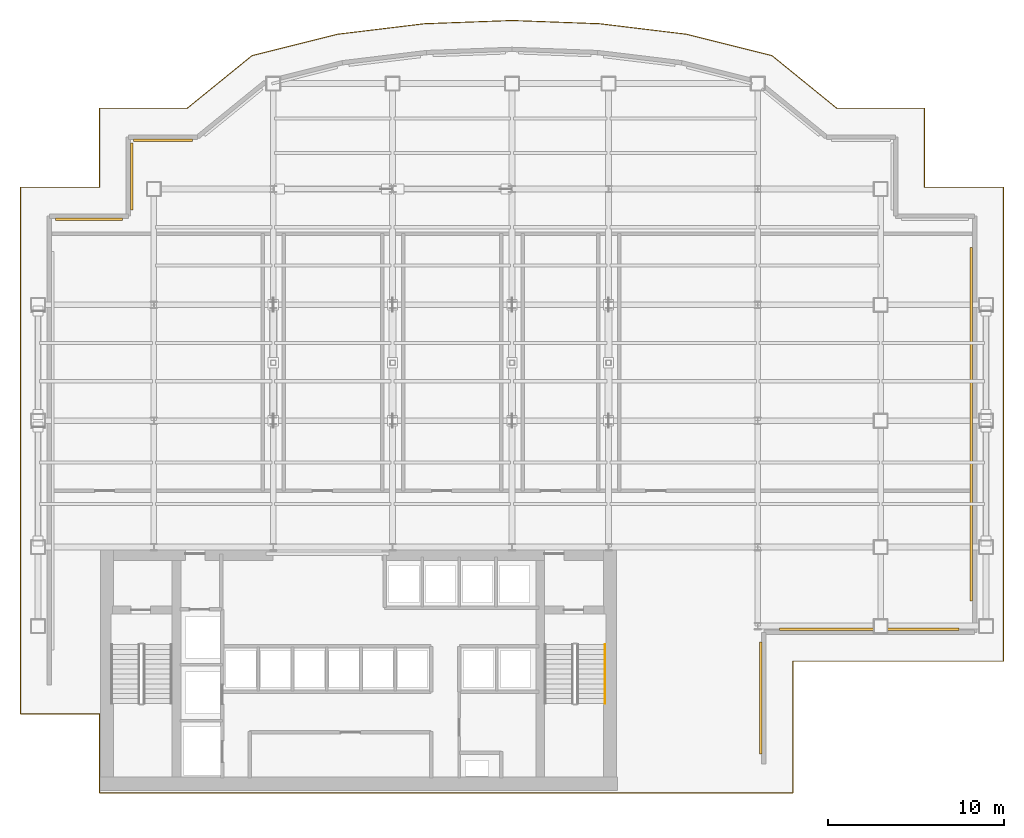
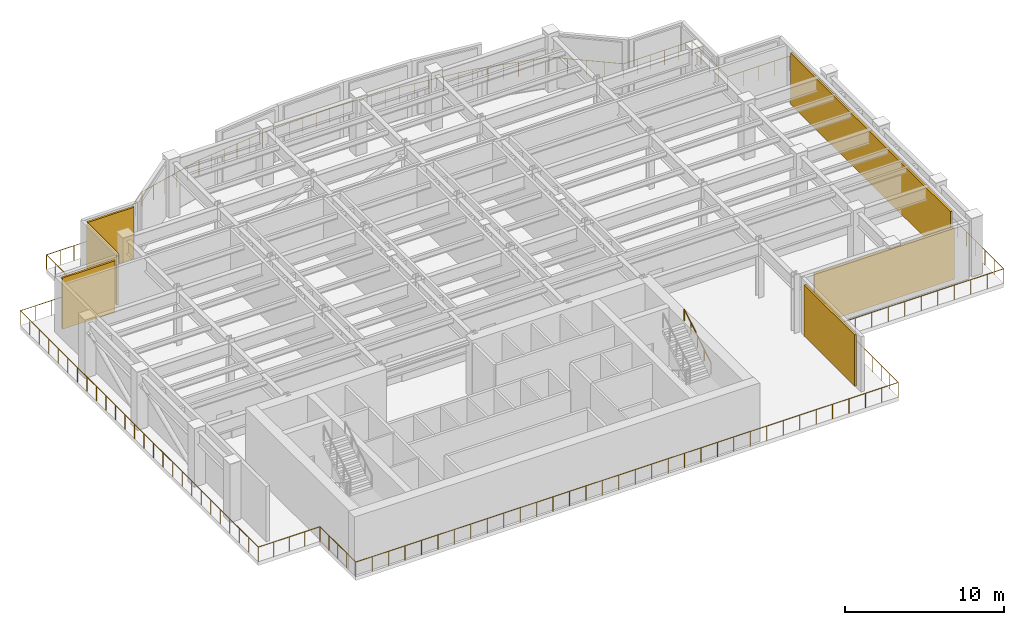
# One storey, part 11 of 12: 6 shading devices, 2 railings.
"""IFC4 building model written with IfcOpenShell, lengths in metres."""

from ifc_helpers import new_model, si_unit, derived_unit, direction, frame, origin, origin_2d, place, context, subcontext, project, spatial, rectangle, circle, extrude, source, transform, mapped, material, type_object, element, save


model = new_model("IFC4")

# Units and contexts
model_context = context("Model", 3, precision=1e-05, world=origin(), true_north=direction((0.0, 1.0)))
body_context = subcontext(model_context, "Body", "Model", "MODEL_VIEW")
ifc_project = project(units=[si_unit("LENGTHUNIT", "METRE"), si_unit("AREAUNIT", "SQUARE_METRE"), si_unit("VOLUMEUNIT", "CUBIC_METRE"), si_unit("PLANEANGLEUNIT", "RADIAN"), si_unit("MASSUNIT", "GRAM", prefix="KILO"), derived_unit("THERMALTRANSMITTANCEUNIT", [(si_unit("POWERUNIT", "WATT"), 1), (si_unit("LENGTHUNIT", "METRE"), -2), (si_unit("THERMODYNAMICTEMPERATUREUNIT", "KELVIN"), -1)])], contexts=[model_context])

# Site, building, storey
site_placement = place(None, origin())
site = spatial("IfcSite", under=ifc_project, at=site_placement, CompositionType="ELEMENT")
building_placement = place(site_placement, origin())
building = spatial("IfcBuilding", under=site, at=building_placement, Name="Skarnbrae Concourse Arena and Tower", CompositionType="ELEMENT")
storey_placement = place(building_placement, frame((0.0, 0.0, 136.10009765625)))
storey = spatial("IfcBuildingStorey", under=building, at=storey_placement, Name="L34", CompositionType="ELEMENT", Elevation=136.10009765625)

# Railings
ifc_material_1 = material(Name="Steel CSA G40.21 350W", Category="steel")
railing_type_1 = type_object("IfcRailingType", Name="RAIL-GUARD-1150", PredefinedType="GUARDRAIL", material=ifc_material_1)
railing_1_placement = place(storey_placement, frame((4.5, 0.0, 0.0)))
element("IfcRailing", 1, at=railing_1_placement, inside=storey, type_object=railing_type_1, Name="L34 Open refuge band perimeter guardrail", PredefinedType="GUARDRAIL", context=body_context, shape_type="SweptSolid", body=[
    extrude(circle(Radius=0.02392578125, at=origin_2d()), frame((0.0, 0.0, 1.1259765625), z_axis=(1.0, 0.0, 0.0), x_axis=(0.0, 1.0, 0.0)), (0.0, 0.0, 1.0), 39.5),
    extrude(circle(Radius=0.02392578125, at=origin_2d()), frame((39.5, 0.0, 1.1259765625), z_axis=(0.0, 1.0, 0.0), x_axis=(-1.0, 0.0, 0.0)), (0.0, 0.0, 1.0), 7.5),
    extrude(circle(Radius=0.02392578125, at=origin_2d()), frame((39.5, 7.5, 1.1259765625), z_axis=(1.0, 0.0, 0.0), x_axis=(0.0, 1.0, 0.0)), (0.0, 0.0, 1.0), 12.0),
    extrude(circle(Radius=0.02392578125, at=origin_2d()), frame((51.5, 7.5, 1.1259765625), z_axis=(0.0, 1.0, 0.0), x_axis=(-1.0, 0.0, 0.0)), (0.0, 0.0, 1.0), 27.0),
    extrude(circle(Radius=0.02392578125, at=origin_2d()), frame((51.5, 34.5, 1.1259765625), z_axis=(-1.0, 0.0, 0.0), x_axis=(0.0, -1.0, 0.0)), (0.0, 0.0, 1.0), 4.5),
    extrude(circle(Radius=0.02392578125, at=origin_2d()), frame((47.0, 34.5, 1.1259765625), z_axis=(0.0, 1.0, 0.0), x_axis=(-1.0, 0.0, 0.0)), (0.0, 0.0, 1.0), 4.5),
    extrude(circle(Radius=0.02392578125, at=origin_2d()), frame((47.0, 39.0, 1.1259765625), z_axis=(-1.0, 0.0, 0.0), x_axis=(0.0, -1.0, 0.0)), (0.0, 0.0, 1.0), 5.0),
    extrude(circle(Radius=0.02392578125, at=origin_2d()), frame((42.0, 39.0, 1.1259765625), z_axis=(-0.776236553893, 0.630441759721, 0.0), x_axis=(-0.630441759721, -0.776236553893, 0.0)), (0.0, 0.0, 1.0), 4.75244140625),
    extrude(circle(Radius=0.02392578125, at=origin_2d()), frame((38.31103515625, 41.99609375, 1.1259765625), z_axis=(-0.969903507278, 0.243489602593, 0.0), x_axis=(-0.243489602593, -0.969903507278, 0.0)), (0.0, 0.0, 1.0), 4.997314453125),
    extrude(circle(Radius=0.02392578125, at=origin_2d()), frame((33.464111328125, 43.212890625, 1.1259765625), z_axis=(-0.992752499945, 0.120176844078, 0.0), x_axis=(-0.120176844078, -0.992752499945, 0.0)), (0.0, 0.0, 1.0), 5.00146484375),
    extrude(circle(Radius=0.02392578125, at=origin_2d()), frame((28.498779296875, 43.81396484375, 1.1259765625), z_axis=(-0.999308198856, 0.037190371064, 0.0), x_axis=(-0.037190371064, -0.999308198856, 0.0)), (0.0, 0.0, 1.0), 5.002197265625),
    extrude(circle(Radius=0.02392578125, at=origin_2d()), frame((23.5, 44.0, 1.1259765625), z_axis=(-0.999308198856, -0.037190371064, 0.0), x_axis=(0.037190371064, -0.999308198856, 0.0)), (0.0, 0.0, 1.0), 5.002197265625),
    extrude(circle(Radius=0.02392578125, at=origin_2d()), frame((18.501220703125, 43.81396484375, 1.1259765625), z_axis=(-0.992752499945, -0.120176844078, 0.0), x_axis=(0.120176844078, -0.992752499945, 0.0)), (0.0, 0.0, 1.0), 5.00146484375),
    extrude(circle(Radius=0.02392578125, at=origin_2d()), frame((13.535888671875, 43.212890625, 1.1259765625), z_axis=(-0.969903507278, -0.243489602593, 0.0), x_axis=(0.243489602593, -0.969903507278, 0.0)), (0.0, 0.0, 1.0), 4.997314453125),
    extrude(circle(Radius=0.02392578125, at=origin_2d()), frame((8.68896484375, 41.99609375, 1.1259765625), z_axis=(-0.776236553893, -0.630441759721, 0.0), x_axis=(0.630441759721, -0.776236553893, 0.0)), (0.0, 0.0, 1.0), 4.75244140625),
    extrude(circle(Radius=0.02392578125, at=origin_2d()), frame((5.0, 39.0, 1.1259765625), z_axis=(-1.0, 0.0, 0.0), x_axis=(0.0, -1.0, 0.0)), (0.0, 0.0, 1.0), 5.0),
    extrude(circle(Radius=0.02392578125, at=origin_2d()), frame((0.0, 39.0, 1.1259765625), z_axis=(0.0, -1.0, 0.0), x_axis=(1.0, 0.0, 0.0)), (0.0, 0.0, 1.0), 4.5),
    extrude(circle(Radius=0.02392578125, at=origin_2d()), frame((0.0, 34.5, 1.1259765625), z_axis=(-1.0, 0.0, 0.0), x_axis=(0.0, -1.0, 0.0)), (0.0, 0.0, 1.0), 4.5),
    extrude(circle(Radius=0.02392578125, at=origin_2d()), frame((-4.5, 34.5, 1.1259765625), z_axis=(0.0, -1.0, 0.0), x_axis=(1.0, 0.0, 0.0)), (0.0, 0.0, 1.0), 30.0),
    extrude(circle(Radius=0.02392578125, at=origin_2d()), frame((-4.5, 4.5, 1.1259765625), z_axis=(1.0, 0.0, 0.0), x_axis=(0.0, 1.0, 0.0)), (0.0, 0.0, 1.0), 4.5),
    extrude(circle(Radius=0.02392578125, at=origin_2d()), frame((0.0, 4.5, 1.1259765625), z_axis=(0.0, -1.0, 0.0), x_axis=(1.0, 0.0, 0.0)), (0.0, 0.0, 1.0), 4.5),
    extrude(circle(Radius=0.02099609375, at=origin_2d()), origin(), (0.0, 0.0, 1.0), 1.101806640625),
    extrude(circle(Radius=0.02099609375, at=origin_2d()), frame((1.197021484375, 0.0, 0.0)), (0.0, 0.0, 1.0), 1.101806640625),
    extrude(circle(Radius=0.02099609375, at=origin_2d()), frame((2.39404296875, 0.0, 0.0)), (0.0, 0.0, 1.0), 1.101806640625),
    extrude(circle(Radius=0.02099609375, at=origin_2d()), frame((3.5908203125, 0.0, 0.0)), (0.0, 0.0, 1.0), 1.101806640625),
    extrude(circle(Radius=0.02099609375, at=origin_2d()), frame((4.787841796875, 0.0, 0.0)), (0.0, 0.0, 1.0), 1.101806640625),
    extrude(circle(Radius=0.02099609375, at=origin_2d()), frame((5.98486328125, 0.0, 0.0)), (0.0, 0.0, 1.0), 1.101806640625),
    extrude(circle(Radius=0.02099609375, at=origin_2d()), frame((7.181884765625, 0.0, 0.0)), (0.0, 0.0, 1.0), 1.101806640625),
    extrude(circle(Radius=0.02099609375, at=origin_2d()), frame((8.37890625, 0.0, 0.0)), (0.0, 0.0, 1.0), 1.101806640625),
    extrude(circle(Radius=0.02099609375, at=origin_2d()), frame((9.57568359375, 0.0, 0.0)), (0.0, 0.0, 1.0), 1.101806640625),
    extrude(circle(Radius=0.02099609375, at=origin_2d()), frame((10.772705078125, 0.0, 0.0)), (0.0, 0.0, 1.0), 1.101806640625),
    extrude(circle(Radius=0.02099609375, at=origin_2d()), frame((11.9697265625, 0.0, 0.0)), (0.0, 0.0, 1.0), 1.101806640625),
    extrude(circle(Radius=0.02099609375, at=origin_2d()), frame((13.166748046875, 0.0, 0.0)), (0.0, 0.0, 1.0), 1.101806640625),
    extrude(circle(Radius=0.02099609375, at=origin_2d()), frame((14.363525390625, 0.0, 0.0)), (0.0, 0.0, 1.0), 1.101806640625),
    extrude(circle(Radius=0.02099609375, at=origin_2d()), frame((15.560546875, 0.0, 0.0)), (0.0, 0.0, 1.0), 1.101806640625),
    extrude(circle(Radius=0.02099609375, at=origin_2d()), frame((16.757568359375, 0.0, 0.0)), (0.0, 0.0, 1.0), 1.101806640625),
    extrude(circle(Radius=0.02099609375, at=origin_2d()), frame((17.95458984375, 0.0, 0.0)), (0.0, 0.0, 1.0), 1.101806640625),
    extrude(circle(Radius=0.02099609375, at=origin_2d()), frame((19.151611328125, 0.0, 0.0)), (0.0, 0.0, 1.0), 1.101806640625),
    extrude(circle(Radius=0.02099609375, at=origin_2d()), frame((20.348388671875, 0.0, 0.0)), (0.0, 0.0, 1.0), 1.101806640625),
    extrude(circle(Radius=0.02099609375, at=origin_2d()), frame((21.54541015625, 0.0, 0.0)), (0.0, 0.0, 1.0), 1.101806640625),
    extrude(circle(Radius=0.02099609375, at=origin_2d()), frame((22.742431640625, 0.0, 0.0)), (0.0, 0.0, 1.0), 1.101806640625),
    extrude(circle(Radius=0.02099609375, at=origin_2d()), frame((23.939453125, 0.0, 0.0)), (0.0, 0.0, 1.0), 1.101806640625),
    extrude(circle(Radius=0.02099609375, at=origin_2d()), frame((25.136474609375, 0.0, 0.0)), (0.0, 0.0, 1.0), 1.101806640625),
    extrude(circle(Radius=0.02099609375, at=origin_2d()), frame((26.333251953125, 0.0, 0.0)), (0.0, 0.0, 1.0), 1.101806640625),
    extrude(circle(Radius=0.02099609375, at=origin_2d()), frame((27.5302734375, 0.0, 0.0)), (0.0, 0.0, 1.0), 1.101806640625),
    extrude(circle(Radius=0.02099609375, at=origin_2d()), frame((28.727294921875, 0.0, 0.0)), (0.0, 0.0, 1.0), 1.101806640625),
    extrude(circle(Radius=0.02099609375, at=origin_2d()), frame((29.92431640625, 0.0, 0.0)), (0.0, 0.0, 1.0), 1.101806640625),
    extrude(circle(Radius=0.02099609375, at=origin_2d()), frame((31.12109375, 0.0, 0.0)), (0.0, 0.0, 1.0), 1.101806640625),
    extrude(circle(Radius=0.02099609375, at=origin_2d()), frame((32.318115234375, 0.0, 0.0)), (0.0, 0.0, 1.0), 1.101806640625),
    extrude(circle(Radius=0.02099609375, at=origin_2d()), frame((33.51513671875, 0.0, 0.0)), (0.0, 0.0, 1.0), 1.101806640625),
    extrude(circle(Radius=0.02099609375, at=origin_2d()), frame((34.712158203125, 0.0, 0.0)), (0.0, 0.0, 1.0), 1.101806640625),
    extrude(circle(Radius=0.02099609375, at=origin_2d()), frame((35.9091796875, 0.0, 0.0)), (0.0, 0.0, 1.0), 1.101806640625),
    extrude(circle(Radius=0.02099609375, at=origin_2d()), frame((37.10595703125, 0.0, 0.0)), (0.0, 0.0, 1.0), 1.101806640625),
    extrude(circle(Radius=0.02099609375, at=origin_2d()), frame((38.302978515625, 0.0, 0.0)), (0.0, 0.0, 1.0), 1.101806640625),
    extrude(circle(Radius=0.02099609375, at=origin_2d()), frame((39.5, 0.0, 0.0)), (0.0, 0.0, 1.0), 1.101806640625),
    extrude(circle(Radius=0.02099609375, at=origin_2d()), frame((39.5, 1.071533203125, 0.0)), (0.0, 0.0, 1.0), 1.101806640625),
    extrude(circle(Radius=0.02099609375, at=origin_2d()), frame((39.5, 2.142822265625, 0.0)), (0.0, 0.0, 1.0), 1.101806640625),
    extrude(circle(Radius=0.02099609375, at=origin_2d()), frame((39.5, 3.21435546875, 0.0)), (0.0, 0.0, 1.0), 1.101806640625),
    extrude(circle(Radius=0.02099609375, at=origin_2d()), frame((39.5, 4.28564453125, 0.0)), (0.0, 0.0, 1.0), 1.101806640625),
    extrude(circle(Radius=0.02099609375, at=origin_2d()), frame((39.5, 5.357177734375, 0.0)), (0.0, 0.0, 1.0), 1.101806640625),
    extrude(circle(Radius=0.02099609375, at=origin_2d()), frame((39.5, 6.428466796875, 0.0)), (0.0, 0.0, 1.0), 1.101806640625),
    extrude(circle(Radius=0.02099609375, at=origin_2d()), frame((39.5, 7.5, 0.0)), (0.0, 0.0, 1.0), 1.101806640625),
    extrude(circle(Radius=0.02099609375, at=origin_2d()), frame((40.699951171875, 7.5, 0.0)), (0.0, 0.0, 1.0), 1.101806640625),
    extrude(circle(Radius=0.02099609375, at=origin_2d()), frame((41.89990234375, 7.5, 0.0)), (0.0, 0.0, 1.0), 1.101806640625),
    extrude(circle(Radius=0.02099609375, at=origin_2d()), frame((43.10009765625, 7.5, 0.0)), (0.0, 0.0, 1.0), 1.101806640625),
    extrude(circle(Radius=0.02099609375, at=origin_2d()), frame((44.300048828125, 7.5, 0.0)), (0.0, 0.0, 1.0), 1.101806640625),
    extrude(circle(Radius=0.02099609375, at=origin_2d()), frame((45.5, 7.5, 0.0)), (0.0, 0.0, 1.0), 1.101806640625),
    extrude(circle(Radius=0.02099609375, at=origin_2d()), frame((46.699951171875, 7.5, 0.0)), (0.0, 0.0, 1.0), 1.101806640625),
    extrude(circle(Radius=0.02099609375, at=origin_2d()), frame((47.89990234375, 7.5, 0.0)), (0.0, 0.0, 1.0), 1.101806640625),
    extrude(circle(Radius=0.02099609375, at=origin_2d()), frame((49.10009765625, 7.5, 0.0)), (0.0, 0.0, 1.0), 1.101806640625),
    extrude(circle(Radius=0.02099609375, at=origin_2d()), frame((50.300048828125, 7.5, 0.0)), (0.0, 0.0, 1.0), 1.101806640625),
    extrude(circle(Radius=0.02099609375, at=origin_2d()), frame((51.5, 7.5, 0.0)), (0.0, 0.0, 1.0), 1.101806640625),
    extrude(circle(Radius=0.02099609375, at=origin_2d()), frame((51.5, 8.673828125, 0.0)), (0.0, 0.0, 1.0), 1.101806640625),
    extrude(circle(Radius=0.02099609375, at=origin_2d()), frame((51.5, 9.847900390625, 0.0)), (0.0, 0.0, 1.0), 1.101806640625),
    extrude(circle(Radius=0.02099609375, at=origin_2d()), frame((51.5, 11.021728515625, 0.0)), (0.0, 0.0, 1.0), 1.101806640625),
    extrude(circle(Radius=0.02099609375, at=origin_2d()), frame((51.5, 12.195556640625, 0.0)), (0.0, 0.0, 1.0), 1.101806640625),
    extrude(circle(Radius=0.02099609375, at=origin_2d()), frame((51.5, 13.36962890625, 0.0)), (0.0, 0.0, 1.0), 1.101806640625),
    extrude(circle(Radius=0.02099609375, at=origin_2d()), frame((51.5, 14.54345703125, 0.0)), (0.0, 0.0, 1.0), 1.101806640625),
    extrude(circle(Radius=0.02099609375, at=origin_2d()), frame((51.5, 15.71728515625, 0.0)), (0.0, 0.0, 1.0), 1.101806640625),
    extrude(circle(Radius=0.02099609375, at=origin_2d()), frame((51.5, 16.891357421875, 0.0)), (0.0, 0.0, 1.0), 1.101806640625),
    extrude(circle(Radius=0.02099609375, at=origin_2d()), frame((51.5, 18.065185546875, 0.0)), (0.0, 0.0, 1.0), 1.101806640625),
    extrude(circle(Radius=0.02099609375, at=origin_2d()), frame((51.5, 19.239013671875, 0.0)), (0.0, 0.0, 1.0), 1.101806640625),
    extrude(circle(Radius=0.02099609375, at=origin_2d()), frame((51.5, 20.4130859375, 0.0)), (0.0, 0.0, 1.0), 1.101806640625),
    extrude(circle(Radius=0.02099609375, at=origin_2d()), frame((51.5, 21.5869140625, 0.0)), (0.0, 0.0, 1.0), 1.101806640625),
    extrude(circle(Radius=0.02099609375, at=origin_2d()), frame((51.5, 22.760986328125, 0.0)), (0.0, 0.0, 1.0), 1.101806640625),
    extrude(circle(Radius=0.02099609375, at=origin_2d()), frame((51.5, 23.934814453125, 0.0)), (0.0, 0.0, 1.0), 1.101806640625),
    extrude(circle(Radius=0.02099609375, at=origin_2d()), frame((51.5, 25.108642578125, 0.0)), (0.0, 0.0, 1.0), 1.101806640625),
    extrude(circle(Radius=0.02099609375, at=origin_2d()), frame((51.5, 26.28271484375, 0.0)), (0.0, 0.0, 1.0), 1.101806640625),
    extrude(circle(Radius=0.02099609375, at=origin_2d()), frame((51.5, 27.45654296875, 0.0)), (0.0, 0.0, 1.0), 1.101806640625),
    extrude(circle(Radius=0.02099609375, at=origin_2d()), frame((51.5, 28.63037109375, 0.0)), (0.0, 0.0, 1.0), 1.101806640625),
    extrude(circle(Radius=0.02099609375, at=origin_2d()), frame((51.5, 29.804443359375, 0.0)), (0.0, 0.0, 1.0), 1.101806640625),
    extrude(circle(Radius=0.02099609375, at=origin_2d()), frame((51.5, 30.978271484375, 0.0)), (0.0, 0.0, 1.0), 1.101806640625),
    extrude(circle(Radius=0.02099609375, at=origin_2d()), frame((51.5, 32.152099609375, 0.0)), (0.0, 0.0, 1.0), 1.101806640625),
    extrude(circle(Radius=0.02099609375, at=origin_2d()), frame((51.5, 33.326171875, 0.0)), (0.0, 0.0, 1.0), 1.101806640625),
    extrude(circle(Radius=0.02099609375, at=origin_2d()), frame((51.5, 34.5, 0.0)), (0.0, 0.0, 1.0), 1.101806640625),
    extrude(circle(Radius=0.02099609375, at=origin_2d()), frame((50.375, 34.5, 0.0)), (0.0, 0.0, 1.0), 1.101806640625),
    extrude(circle(Radius=0.02099609375, at=origin_2d()), frame((49.25, 34.5, 0.0)), (0.0, 0.0, 1.0), 1.101806640625),
    extrude(circle(Radius=0.02099609375, at=origin_2d()), frame((48.125, 34.5, 0.0)), (0.0, 0.0, 1.0), 1.101806640625),
    extrude(circle(Radius=0.02099609375, at=origin_2d()), frame((47.0, 34.5, 0.0)), (0.0, 0.0, 1.0), 1.101806640625),
    extrude(circle(Radius=0.02099609375, at=origin_2d()), frame((47.0, 35.625, 0.0)), (0.0, 0.0, 1.0), 1.101806640625),
    extrude(circle(Radius=0.02099609375, at=origin_2d()), frame((47.0, 36.75, 0.0)), (0.0, 0.0, 1.0), 1.101806640625),
    extrude(circle(Radius=0.02099609375, at=origin_2d()), frame((47.0, 37.875, 0.0)), (0.0, 0.0, 1.0), 1.101806640625),
    extrude(circle(Radius=0.02099609375, at=origin_2d()), frame((47.0, 39.0, 0.0)), (0.0, 0.0, 1.0), 1.101806640625),
    extrude(circle(Radius=0.02099609375, at=origin_2d()), frame((46.0, 39.0, 0.0)), (0.0, 0.0, 1.0), 1.101806640625),
    extrude(circle(Radius=0.02099609375, at=origin_2d()), frame((45.0, 39.0, 0.0)), (0.0, 0.0, 1.0), 1.101806640625),
    extrude(circle(Radius=0.02099609375, at=origin_2d()), frame((44.0, 39.0, 0.0)), (0.0, 0.0, 1.0), 1.101806640625),
    extrude(circle(Radius=0.02099609375, at=origin_2d()), frame((43.0, 39.0, 0.0)), (0.0, 0.0, 1.0), 1.101806640625),
    extrude(circle(Radius=0.02099609375, at=origin_2d()), frame((42.0, 39.0, 0.0)), (0.0, 0.0, 1.0), 1.101806640625),
    extrude(circle(Radius=0.02099609375, at=origin_2d()), frame((41.07763671875, 39.7490234375, 0.0)), (0.0, 0.0, 1.0), 1.101806640625),
    extrude(circle(Radius=0.02099609375, at=origin_2d()), frame((40.155517578125, 40.498046875, 0.0)), (0.0, 0.0, 1.0), 1.101806640625),
    extrude(circle(Radius=0.02099609375, at=origin_2d()), frame((39.2333984375, 41.2470703125, 0.0)), (0.0, 0.0, 1.0), 1.101806640625),
    extrude(circle(Radius=0.02099609375, at=origin_2d()), frame((38.31103515625, 41.99609375, 0.0)), (0.0, 0.0, 1.0), 1.101806640625),
    extrude(circle(Radius=0.02099609375, at=origin_2d()), frame((37.341552734375, 42.239501953125, 0.0)), (0.0, 0.0, 1.0), 1.101806640625),
    extrude(circle(Radius=0.02099609375, at=origin_2d()), frame((36.372314453125, 42.48291015625, 0.0)), (0.0, 0.0, 1.0), 1.101806640625),
    extrude(circle(Radius=0.02099609375, at=origin_2d()), frame((35.40283203125, 42.72607421875, 0.0)), (0.0, 0.0, 1.0), 1.101806640625),
    extrude(circle(Radius=0.02099609375, at=origin_2d()), frame((34.43359375, 42.969482421875, 0.0)), (0.0, 0.0, 1.0), 1.101806640625),
    extrude(circle(Radius=0.02099609375, at=origin_2d()), frame((33.464111328125, 43.212890625, 0.0)), (0.0, 0.0, 1.0), 1.101806640625),
    extrude(circle(Radius=0.02099609375, at=origin_2d()), frame((32.470947265625, 43.3330078125, 0.0)), (0.0, 0.0, 1.0), 1.101806640625),
    extrude(circle(Radius=0.02099609375, at=origin_2d()), frame((31.47802734375, 43.453369140625, 0.0)), (0.0, 0.0, 1.0), 1.101806640625),
    extrude(circle(Radius=0.02099609375, at=origin_2d()), frame((30.48486328125, 43.573486328125, 0.0)), (0.0, 0.0, 1.0), 1.101806640625),
    extrude(circle(Radius=0.02099609375, at=origin_2d()), frame((29.491943359375, 43.69384765625, 0.0)), (0.0, 0.0, 1.0), 1.101806640625),
    extrude(circle(Radius=0.02099609375, at=origin_2d()), frame((28.498779296875, 43.81396484375, 0.0)), (0.0, 0.0, 1.0), 1.101806640625),
    extrude(circle(Radius=0.02099609375, at=origin_2d()), frame((27.4990234375, 43.85107421875, 0.0)), (0.0, 0.0, 1.0), 1.101806640625),
    extrude(circle(Radius=0.02099609375, at=origin_2d()), frame((26.499267578125, 43.888427734375, 0.0)), (0.0, 0.0, 1.0), 1.101806640625),
    extrude(circle(Radius=0.02099609375, at=origin_2d()), frame((25.49951171875, 43.925537109375, 0.0)), (0.0, 0.0, 1.0), 1.101806640625),
    extrude(circle(Radius=0.02099609375, at=origin_2d()), frame((24.499755859375, 43.962890625, 0.0)), (0.0, 0.0, 1.0), 1.101806640625),
    extrude(circle(Radius=0.02099609375, at=origin_2d()), frame((23.5, 44.0, 0.0)), (0.0, 0.0, 1.0), 1.101806640625),
    extrude(circle(Radius=0.02099609375, at=origin_2d()), frame((22.500244140625, 43.962890625, 0.0)), (0.0, 0.0, 1.0), 1.101806640625),
    extrude(circle(Radius=0.02099609375, at=origin_2d()), frame((21.50048828125, 43.925537109375, 0.0)), (0.0, 0.0, 1.0), 1.101806640625),
    extrude(circle(Radius=0.02099609375, at=origin_2d()), frame((20.500732421875, 43.888427734375, 0.0)), (0.0, 0.0, 1.0), 1.101806640625),
    extrude(circle(Radius=0.02099609375, at=origin_2d()), frame((19.5009765625, 43.85107421875, 0.0)), (0.0, 0.0, 1.0), 1.101806640625),
    extrude(circle(Radius=0.02099609375, at=origin_2d()), frame((18.501220703125, 43.81396484375, 0.0)), (0.0, 0.0, 1.0), 1.101806640625),
    extrude(circle(Radius=0.02099609375, at=origin_2d()), frame((17.508056640625, 43.69384765625, 0.0)), (0.0, 0.0, 1.0), 1.101806640625),
    extrude(circle(Radius=0.02099609375, at=origin_2d()), frame((16.51513671875, 43.573486328125, 0.0)), (0.0, 0.0, 1.0), 1.101806640625),
    extrude(circle(Radius=0.02099609375, at=origin_2d()), frame((15.52197265625, 43.453369140625, 0.0)), (0.0, 0.0, 1.0), 1.101806640625),
    extrude(circle(Radius=0.02099609375, at=origin_2d()), frame((14.529052734375, 43.3330078125, 0.0)), (0.0, 0.0, 1.0), 1.101806640625),
    extrude(circle(Radius=0.02099609375, at=origin_2d()), frame((13.535888671875, 43.212890625, 0.0)), (0.0, 0.0, 1.0), 1.101806640625),
    extrude(circle(Radius=0.02099609375, at=origin_2d()), frame((12.56640625, 42.969482421875, 0.0)), (0.0, 0.0, 1.0), 1.101806640625),
    extrude(circle(Radius=0.02099609375, at=origin_2d()), frame((11.59716796875, 42.72607421875, 0.0)), (0.0, 0.0, 1.0), 1.101806640625),
    extrude(circle(Radius=0.02099609375, at=origin_2d()), frame((10.627685546875, 42.48291015625, 0.0)), (0.0, 0.0, 1.0), 1.101806640625),
    extrude(circle(Radius=0.02099609375, at=origin_2d()), frame((9.658447265625, 42.239501953125, 0.0)), (0.0, 0.0, 1.0), 1.101806640625),
    extrude(circle(Radius=0.02099609375, at=origin_2d()), frame((8.68896484375, 41.99609375, 0.0)), (0.0, 0.0, 1.0), 1.101806640625),
    extrude(circle(Radius=0.02099609375, at=origin_2d()), frame((7.7666015625, 41.2470703125, 0.0)), (0.0, 0.0, 1.0), 1.101806640625),
    extrude(circle(Radius=0.02099609375, at=origin_2d()), frame((6.844482421875, 40.498046875, 0.0)), (0.0, 0.0, 1.0), 1.101806640625),
    extrude(circle(Radius=0.02099609375, at=origin_2d()), frame((5.92236328125, 39.7490234375, 0.0)), (0.0, 0.0, 1.0), 1.101806640625),
    extrude(circle(Radius=0.02099609375, at=origin_2d()), frame((5.0, 39.0, 0.0)), (0.0, 0.0, 1.0), 1.101806640625),
    extrude(circle(Radius=0.02099609375, at=origin_2d()), frame((4.0, 39.0, 0.0)), (0.0, 0.0, 1.0), 1.101806640625),
    extrude(circle(Radius=0.02099609375, at=origin_2d()), frame((3.0, 39.0, 0.0)), (0.0, 0.0, 1.0), 1.101806640625),
    extrude(circle(Radius=0.02099609375, at=origin_2d()), frame((2.0, 39.0, 0.0)), (0.0, 0.0, 1.0), 1.101806640625),
    extrude(circle(Radius=0.02099609375, at=origin_2d()), frame((1.0, 39.0, 0.0)), (0.0, 0.0, 1.0), 1.101806640625),
    extrude(circle(Radius=0.02099609375, at=origin_2d()), frame((0.0, 39.0, 0.0)), (0.0, 0.0, 1.0), 1.101806640625),
    extrude(circle(Radius=0.02099609375, at=origin_2d()), frame((0.0, 37.875, 0.0)), (0.0, 0.0, 1.0), 1.101806640625),
    extrude(circle(Radius=0.02099609375, at=origin_2d()), frame((0.0, 36.75, 0.0)), (0.0, 0.0, 1.0), 1.101806640625),
    extrude(circle(Radius=0.02099609375, at=origin_2d()), frame((0.0, 35.625, 0.0)), (0.0, 0.0, 1.0), 1.101806640625),
    extrude(circle(Radius=0.02099609375, at=origin_2d()), frame((0.0, 34.5, 0.0)), (0.0, 0.0, 1.0), 1.101806640625),
    extrude(circle(Radius=0.02099609375, at=origin_2d()), frame((-1.125, 34.5, 0.0)), (0.0, 0.0, 1.0), 1.101806640625),
    extrude(circle(Radius=0.02099609375, at=origin_2d()), frame((-2.25, 34.5, 0.0)), (0.0, 0.0, 1.0), 1.101806640625),
    extrude(circle(Radius=0.02099609375, at=origin_2d()), frame((-3.375, 34.5, 0.0)), (0.0, 0.0, 1.0), 1.101806640625),
    extrude(circle(Radius=0.02099609375, at=origin_2d()), frame((-4.5, 34.5, 0.0)), (0.0, 0.0, 1.0), 1.101806640625),
    extrude(circle(Radius=0.02099609375, at=origin_2d()), frame((-4.5, 33.300048828125, 0.0)), (0.0, 0.0, 1.0), 1.101806640625),
    extrude(circle(Radius=0.02099609375, at=origin_2d()), frame((-4.5, 32.10009765625, 0.0)), (0.0, 0.0, 1.0), 1.101806640625),
    extrude(circle(Radius=0.02099609375, at=origin_2d()), frame((-4.5, 30.89990234375, 0.0)), (0.0, 0.0, 1.0), 1.101806640625),
    extrude(circle(Radius=0.02099609375, at=origin_2d()), frame((-4.5, 29.699951171875, 0.0)), (0.0, 0.0, 1.0), 1.101806640625),
    extrude(circle(Radius=0.02099609375, at=origin_2d()), frame((-4.5, 28.5, 0.0)), (0.0, 0.0, 1.0), 1.101806640625),
    extrude(circle(Radius=0.02099609375, at=origin_2d()), frame((-4.5, 27.300048828125, 0.0)), (0.0, 0.0, 1.0), 1.101806640625),
    extrude(circle(Radius=0.02099609375, at=origin_2d()), frame((-4.5, 26.10009765625, 0.0)), (0.0, 0.0, 1.0), 1.101806640625),
    extrude(circle(Radius=0.02099609375, at=origin_2d()), frame((-4.5, 24.89990234375, 0.0)), (0.0, 0.0, 1.0), 1.101806640625),
    extrude(circle(Radius=0.02099609375, at=origin_2d()), frame((-4.5, 23.699951171875, 0.0)), (0.0, 0.0, 1.0), 1.101806640625),
    extrude(circle(Radius=0.02099609375, at=origin_2d()), frame((-4.5, 22.5, 0.0)), (0.0, 0.0, 1.0), 1.101806640625),
    extrude(circle(Radius=0.02099609375, at=origin_2d()), frame((-4.5, 21.300048828125, 0.0)), (0.0, 0.0, 1.0), 1.101806640625),
    extrude(circle(Radius=0.02099609375, at=origin_2d()), frame((-4.5, 20.10009765625, 0.0)), (0.0, 0.0, 1.0), 1.101806640625),
    extrude(circle(Radius=0.02099609375, at=origin_2d()), frame((-4.5, 18.89990234375, 0.0)), (0.0, 0.0, 1.0), 1.101806640625),
    extrude(circle(Radius=0.02099609375, at=origin_2d()), frame((-4.5, 17.699951171875, 0.0)), (0.0, 0.0, 1.0), 1.101806640625),
    extrude(circle(Radius=0.02099609375, at=origin_2d()), frame((-4.5, 16.5, 0.0)), (0.0, 0.0, 1.0), 1.101806640625),
    extrude(circle(Radius=0.02099609375, at=origin_2d()), frame((-4.5, 15.300048828125, 0.0)), (0.0, 0.0, 1.0), 1.101806640625),
    extrude(circle(Radius=0.02099609375, at=origin_2d()), frame((-4.5, 14.10009765625, 0.0)), (0.0, 0.0, 1.0), 1.101806640625),
    extrude(circle(Radius=0.02099609375, at=origin_2d()), frame((-4.5, 12.89990234375, 0.0)), (0.0, 0.0, 1.0), 1.101806640625),
    extrude(circle(Radius=0.02099609375, at=origin_2d()), frame((-4.5, 11.699951171875, 0.0)), (0.0, 0.0, 1.0), 1.101806640625),
    extrude(circle(Radius=0.02099609375, at=origin_2d()), frame((-4.5, 10.5, 0.0)), (0.0, 0.0, 1.0), 1.101806640625),
    extrude(circle(Radius=0.02099609375, at=origin_2d()), frame((-4.5, 9.300048828125, 0.0)), (0.0, 0.0, 1.0), 1.101806640625),
    extrude(circle(Radius=0.02099609375, at=origin_2d()), frame((-4.5, 8.10009765625, 0.0)), (0.0, 0.0, 1.0), 1.101806640625),
    extrude(circle(Radius=0.02099609375, at=origin_2d()), frame((-4.5, 6.89990234375, 0.0)), (0.0, 0.0, 1.0), 1.101806640625),
    extrude(circle(Radius=0.02099609375, at=origin_2d()), frame((-4.5, 5.699951171875, 0.0)), (0.0, 0.0, 1.0), 1.101806640625),
    extrude(circle(Radius=0.02099609375, at=origin_2d()), frame((-4.5, 4.5, 0.0)), (0.0, 0.0, 1.0), 1.101806640625),
    extrude(circle(Radius=0.02099609375, at=origin_2d()), frame((-3.375, 4.5, 0.0)), (0.0, 0.0, 1.0), 1.101806640625),
    extrude(circle(Radius=0.02099609375, at=origin_2d()), frame((-2.25, 4.5, 0.0)), (0.0, 0.0, 1.0), 1.101806640625),
    extrude(circle(Radius=0.02099609375, at=origin_2d()), frame((-1.125, 4.5, 0.0)), (0.0, 0.0, 1.0), 1.101806640625),
    extrude(circle(Radius=0.02099609375, at=origin_2d()), frame((0.0, 4.5, 0.0)), (0.0, 0.0, 1.0), 1.101806640625),
    extrude(circle(Radius=0.02099609375, at=origin_2d()), frame((0.0, 3.375, 0.0)), (0.0, 0.0, 1.0), 1.101806640625),
    extrude(circle(Radius=0.02099609375, at=origin_2d()), frame((0.0, 2.25, 0.0)), (0.0, 0.0, 1.0), 1.101806640625),
    extrude(circle(Radius=0.02099609375, at=origin_2d()), frame((0.0, 1.125, 0.0)), (0.0, 0.0, 1.0), 1.101806640625),
])
railing_type_2 = type_object("IfcRailingType", Name="RAIL-HANDRAIL-900", PredefinedType="HANDRAIL", material=ifc_material_1)
railing_2_placement = place(storey_placement, frame((33.300048828125, 5.090087890625, 2.423095703125)))
element("IfcRailing", 2, at=railing_2_placement, inside=storey, type_object=railing_type_2, Name="L34 ST-2 stair handrail 2", PredefinedType="HANDRAIL", context=body_context, shape_type="SweptSolid", body=[
    extrude(circle(Radius=0.02392578125, at=origin_2d()), frame((0.0, 0.0, 0.8759765625), z_axis=(0.0, 0.850606129759, 0.525803396734), x_axis=(-1.0, 0.0, 0.0)), (0.0, 0.0, 1.0), 3.949951171875),
    extrude(circle(Radius=0.02099609375, at=origin_2d()), origin(), (0.0, 0.0, 1.0), 0.851806640625),
    extrude(circle(Radius=0.02099609375, at=origin_2d()), frame((0.0, 0.83984375, 0.519287109375)), (0.0, 0.0, 1.0), 0.851806640625),
    extrude(circle(Radius=0.02099609375, at=origin_2d()), frame((0.0, 1.679931640625, 1.03857421875)), (0.0, 0.0, 1.0), 0.851806640625),
    extrude(circle(Radius=0.02099609375, at=origin_2d()), frame((0.0, 2.52001953125, 1.5576171875)), (0.0, 0.0, 1.0), 0.851806640625),
    extrude(circle(Radius=0.02099609375, at=origin_2d()), frame((0.0, 3.35986328125, 2.076904296875)), (0.0, 0.0, 1.0), 0.851806640625),
])

# Shading devices
ifc_material_2 = material(Name="Bronze anodised aluminium 6063-T6", Category="aluminium")
shading_device_type = type_object("IfcShadingDeviceType", Name="SHD-BRONZE-LOUVRE-150", PredefinedType="USERDEFINED", material=ifc_material_2)
shared_shape_1 = source(origin(), body_context, "Body", "SweptSolid", [
    extrude(rectangle(XDim=3.824951171875, YDim=0.139892578125, at=origin_2d()), origin(), (0.0, 0.0, 1.0), 3.949951171875),
])
for number, where, z_axis, x_axis, name in (
    (3, (3.89990234375, 32.669921875, 0.14990234375), (0.0, 0.0, 1.0), (1.0, 0.0, 0.0), "L34 Refuge band bronze weather louvre 04"),
    (4, (6.330078125, 35.10009765625, 0.14990234375), (0.0, 0.0, 1.0), (0.0, 1.0, 0.0), "L34 Refuge band bronze weather louvre 05"),
):
    element("IfcShadingDevice", number, at=place(storey_placement, frame(where, z_axis=z_axis, x_axis=x_axis)), inside=storey, type_object=shading_device_type, Name=name, ObjectType="LOUVRE", PredefinedType="USERDEFINED", context=body_context, shape_type="MappedRepresentation", body=[
        mapped(shared_shape_1, transform((0.0, 0.0, 0.0))),
    ])
shared_shape_2 = source(origin(), body_context, "Body", "SweptSolid", [
    extrude(rectangle(XDim=3.34521484375, YDim=0.139892578125, at=origin_2d()), origin(), (0.0, 0.0, 1.0), 3.949951171875),
])
shading_device_1_placement = place(storey_placement, frame((8.117919921875, 37.169921875, 0.14990234375), z_axis=(0.0, 0.0, 1.0), x_axis=(1.0, 0.0, 0.0)))
element("IfcShadingDevice", 5, at=shading_device_1_placement, inside=storey, type_object=shading_device_type, Name="L34 Refuge band bronze weather louvre 06", ObjectType="LOUVRE", PredefinedType="USERDEFINED", context=body_context, shape_type="MappedRepresentation", body=[
    mapped(shared_shape_2, transform((0.0, 0.0, 0.0))),
])
shared_shape_3 = source(origin(), body_context, "Body", "SweptSolid", [
    extrude(rectangle(XDim=20.14501953125, YDim=0.139892578125, at=origin_2d()), origin(), (0.0, 0.0, 1.0), 3.949951171875),
])
shading_device_2_placement = place(storey_placement, frame((54.169921875, 21.0, 0.14990234375), z_axis=(0.0, 0.0, 1.0), x_axis=(0.0, -1.0, 0.0)))
element("IfcShadingDevice", 6, at=shading_device_2_placement, inside=storey, type_object=shading_device_type, Name="L34 Refuge band bronze weather louvre 18", ObjectType="LOUVRE", PredefinedType="USERDEFINED", context=body_context, shape_type="MappedRepresentation", body=[
    mapped(shared_shape_3, transform((0.0, 0.0, 0.0))),
])
shared_shape_4 = source(origin(), body_context, "Body", "SweptSolid", [
    extrude(rectangle(XDim=10.199951171875, YDim=0.139892578125, at=origin_2d()), origin(), (0.0, 0.0, 1.0), 3.949951171875),
])
shading_device_3_placement = place(storey_placement, frame((48.35009765625, 9.330078125, 0.14990234375), z_axis=(0.0, 0.0, 1.0), x_axis=(-1.0, 0.0, 0.0)))
element("IfcShadingDevice", 7, at=shading_device_3_placement, inside=storey, type_object=shading_device_type, Name="L34 Refuge band bronze weather louvre 19", ObjectType="LOUVRE", PredefinedType="USERDEFINED", context=body_context, shape_type="MappedRepresentation", body=[
    mapped(shared_shape_4, transform((0.0, 0.0, 0.0))),
])
shared_shape_5 = source(origin(), body_context, "Body", "SweptSolid", [
    extrude(rectangle(XDim=6.375, YDim=0.139892578125, at=origin_2d()), origin(), (0.0, 0.0, 1.0), 3.949951171875),
])
shading_device_4_placement = place(storey_placement, frame((42.169921875, 5.39990234375, 0.14990234375), z_axis=(0.0, 0.0, 1.0), x_axis=(0.0, -1.0, 0.0)))
element("IfcShadingDevice", 8, at=shading_device_4_placement, inside=storey, type_object=shading_device_type, Name="L34 Refuge band bronze weather louvre 20", ObjectType="LOUVRE", PredefinedType="USERDEFINED", context=body_context, shape_type="MappedRepresentation", body=[
    mapped(shared_shape_5, transform((0.0, 0.0, 0.0))),
])

save(model, "model.ifc")
